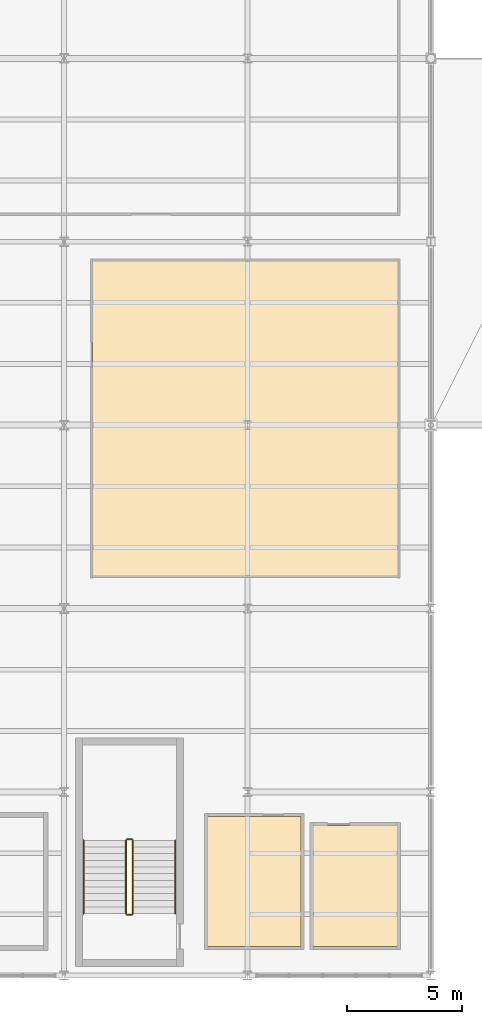
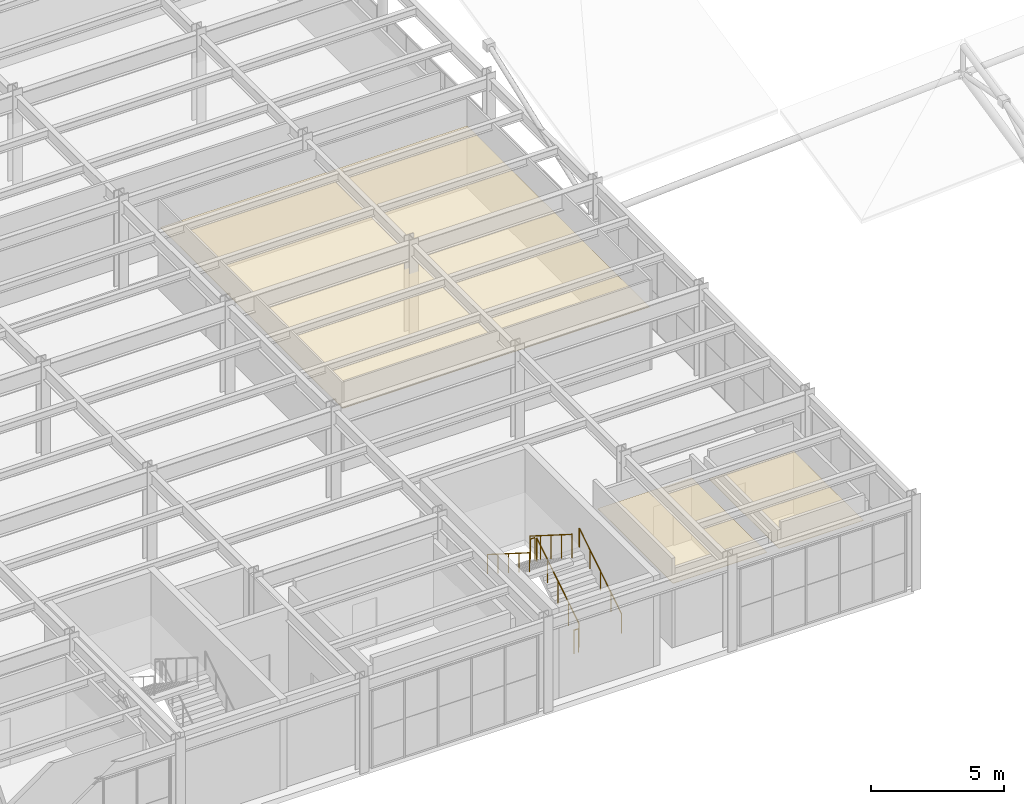
# One storey, part 77 of 83: 6 railings, 3 coverings.
"""IFC4 building model written with IfcOpenShell, lengths in metres."""

from ifc_helpers import new_model, si_unit, direction, frame, origin, origin_2d, place, context, subcontext, project, spatial, polyline, circle, outline, extrude, material, layer, layer_set, type_object, element, save


model = new_model("IFC4")

# Units and contexts
model_context = context("Model", 3, precision=1e-05, world=origin(), true_north=direction((0.0, 1.0)))
body_context = subcontext(model_context, "Body", "Model", "MODEL_VIEW")
ifc_project = project(units=[si_unit("LENGTHUNIT", "METRE"), si_unit("AREAUNIT", "SQUARE_METRE"), si_unit("VOLUMEUNIT", "CUBIC_METRE"), si_unit("PLANEANGLEUNIT", "RADIAN"), si_unit("MASSUNIT", "GRAM", prefix="KILO")], contexts=[model_context])

# Site, building, storey
site_placement = place(None, origin())
site = spatial("IfcSite", under=ifc_project, at=site_placement, CompositionType="ELEMENT")
building_placement = place(site_placement, origin())
building = spatial("IfcBuilding", under=site, at=building_placement, Name="Drelvath Fold Interchange", CompositionType="ELEMENT")
storey_placement = place(building_placement, frame((0.0, 0.0, 11.199951171875)))
storey = spatial("IfcBuildingStorey", under=building, at=storey_placement, Name="L02", CompositionType="ELEMENT", Elevation=11.199951171875)

# Coverings
ifc_material_1 = material(Name="Perforated Aluminium Acoustic Ceiling", Category="aluminium")
ifc_layer = layer(ifc_material_1, 0.01806640625, Name="Perforated Aluminium Acoustic Ceiling")
ifc_layer_set = layer_set([ifc_layer], Name="Perforated Aluminium Acoustic Ceiling")
covering_type = type_object("IfcCoveringType", Name="CV-CEIL-AL18", PredefinedType="CEILING", material=ifc_layer_set)
covering_1_placement = place(storey_placement, frame((0.0, 0.0, 2.830078125)))
element("IfcCovering", 1, at=covering_1_placement, inside=storey, type_object=covering_type, Name="Operator Simulation Training Suite acoustic ceiling", PredefinedType="CEILING", context=body_context, shape_type="SweptSolid", body=[
    extrude(outline(polyline([(37.23291015625, 20.431884765625), (50.568115234375, 20.431884765625), (50.568115234375, 34.16796875), (37.23291015625, 34.16796875), (37.23291015625, 20.431884765625)])), origin(), (0.0, 0.0, 1.0), 0.02001953125),
])
covering_2_placement = place(storey_placement, frame((0.0, 0.0, 2.830078125)))
element("IfcCovering", 2, at=covering_2_placement, inside=storey, type_object=covering_type, Name="Level L02 Staff Washroom acoustic ceiling", PredefinedType="CEILING", context=body_context, shape_type="SweptSolid", body=[
    extrude(outline(polyline([(42.262939453125, 4.262939453125), (46.3369140625, 4.262939453125), (46.3369140625, 9.93798828125), (42.262939453125, 9.93798828125), (42.262939453125, 4.262939453125)])), origin(), (0.0, 0.0, 1.0), 0.02001953125),
])
covering_3_placement = place(storey_placement, frame((0.0, 0.0, 2.830078125)))
element("IfcCovering", 3, at=covering_3_placement, inside=storey, type_object=covering_type, Name="Level L02 Accessible WC acoustic ceiling", PredefinedType="CEILING", context=body_context, shape_type="SweptSolid", body=[
    extrude(outline(polyline([(46.862060546875, 4.262939453125), (50.5380859375, 4.262939453125), (50.5380859375, 9.537109375), (46.862060546875, 9.537109375), (46.862060546875, 4.262939453125)])), origin(), (0.0, 0.0, 1.0), 0.02001953125),
])

# Railings
ifc_material_2 = material(Name="Stainless Steel 316L", Category="steel")
railing_type_1 = type_object("IfcRailingType", Name="RL-GRD1100", PredefinedType="GUARDRAIL", material=ifc_material_2)
railing_1_placement = place(storey_placement, frame((39.0, 5.699951171875, 0.183349609375)))
element("IfcRailing", 4, at=railing_1_placement, inside=storey, type_object=railing_type_1, Name="L02 ST-04 stair guard 1", PredefinedType="GUARDRAIL", context=body_context, shape_type="SweptSolid", body=[
    extrude(circle(Radius=0.02392578125, at=origin_2d()), frame((0.0, 0.0, 1.076171875), z_axis=(0.0, 0.845261316591, 0.534353166619), x_axis=(-1.0, 0.0, 0.0)), (0.0, 0.0, 1.0), 3.77392578125),
    extrude(circle(Radius=0.02099609375, at=origin_2d()), origin(), (0.0, 0.0, 1.0), 1.052001953125),
    extrude(circle(Radius=0.02099609375, at=origin_2d()), frame((0.0, 0.79736328125, 0.504150390625)), (0.0, 0.0, 1.0), 1.052001953125),
    extrude(circle(Radius=0.02099609375, at=origin_2d()), frame((0.0, 1.594970703125, 1.00830078125)), (0.0, 0.0, 1.0), 1.052001953125),
    extrude(circle(Radius=0.02099609375, at=origin_2d()), frame((0.0, 2.392578125, 1.512451171875)), (0.0, 0.0, 1.0), 1.052001953125),
    extrude(circle(Radius=0.02099609375, at=origin_2d()), frame((0.0, 3.18994140625, 2.0166015625)), (0.0, 0.0, 1.0), 1.052001953125),
])
railing_2_placement = place(storey_placement, frame((38.949951171875, 8.93994140625, 2.199951171875)))
element("IfcRailing", 5, at=railing_2_placement, inside=storey, type_object=railing_type_1, Name="L02 ST-04 stair guard 2", PredefinedType="GUARDRAIL", context=body_context, shape_type="SweptSolid", body=[
    extrude(circle(Radius=0.02392578125, at=origin_2d()), frame((0.0, 0.0, 1.076171875), z_axis=(-1.0, 0.0, 0.0), x_axis=(0.0, -1.0, 0.0)), (0.0, 0.0, 1.0), 0.199951171875),
    extrude(circle(Radius=0.02099609375, at=origin_2d()), origin(), (0.0, 0.0, 1.0), 1.052001953125),
    extrude(circle(Radius=0.02099609375, at=origin_2d()), frame((-0.199951171875, 0.0, 0.0)), (0.0, 0.0, 1.0), 1.052001953125),
])
railing_3_placement = place(storey_placement, frame((38.699951171875, 8.889892578125, 2.38330078125)))
element("IfcRailing", 6, at=railing_3_placement, inside=storey, type_object=railing_type_1, Name="L02 ST-04 stair guard 3", PredefinedType="GUARDRAIL", context=body_context, shape_type="SweptSolid", body=[
    extrude(circle(Radius=0.02392578125, at=origin_2d()), frame((0.0, 0.0, 1.076171875), z_axis=(0.0, -0.845232097178, 0.534399384263), x_axis=(1.0, 0.0, 0.0)), (0.0, 0.0, 1.0), 3.77392578125),
    extrude(circle(Radius=0.02099609375, at=origin_2d()), origin(), (0.0, 0.0, 1.0), 1.052001953125),
    extrude(circle(Radius=0.02099609375, at=origin_2d()), frame((0.0, -0.79736328125, 0.504150390625)), (0.0, 0.0, 1.0), 1.052001953125),
    extrude(circle(Radius=0.02099609375, at=origin_2d()), frame((0.0, -1.594970703125, 1.00830078125)), (0.0, 0.0, 1.0), 1.052001953125),
    extrude(circle(Radius=0.02099609375, at=origin_2d()), frame((0.0, -2.392578125, 1.5126953125)), (0.0, 0.0, 1.0), 1.052001953125),
    extrude(circle(Radius=0.02099609375, at=origin_2d()), frame((0.0, -3.18994140625, 2.016845703125)), (0.0, 0.0, 1.0), 1.052001953125),
])
railing_4_placement = place(storey_placement, frame((38.949951171875, 5.64990234375, 0.0)))
element("IfcRailing", 7, at=railing_4_placement, inside=storey, type_object=railing_type_1, Name="L02 ST-04 stair guard 4", PredefinedType="GUARDRAIL", context=body_context, shape_type="SweptSolid", body=[
    extrude(circle(Radius=0.02392578125, at=origin_2d()), frame((0.0, 0.0, 1.076171875), z_axis=(-1.0, 0.0, 0.0), x_axis=(0.0, -1.0, 0.0)), (0.0, 0.0, 1.0), 0.199951171875),
    extrude(circle(Radius=0.02099609375, at=origin_2d()), origin(), (0.0, 0.0, 1.0), 1.052001953125),
    extrude(circle(Radius=0.02099609375, at=origin_2d()), frame((-0.199951171875, 0.0, 0.0)), (0.0, 0.0, 1.0), 1.052001953125),
])
railing_type_2 = type_object("IfcRailingType", Name="RL-HND920", PredefinedType="HANDRAIL", material=ifc_material_2)
railing_5_placement = place(storey_placement, frame((40.85009765625, 5.699951171875, 0.183349609375)))
element("IfcRailing", 8, at=railing_5_placement, inside=storey, type_object=railing_type_2, Name="L02 ST-04 stair handrail 1", PredefinedType="HANDRAIL", context=body_context, shape_type="SweptSolid", body=[
    extrude(circle(Radius=0.02392578125, at=origin_2d()), frame((0.0, 0.0, 0.8759765625), z_axis=(0.0, 0.845261316591, 0.534353166619), x_axis=(-1.0, 0.0, 0.0)), (0.0, 0.0, 1.0), 3.77392578125),
    extrude(circle(Radius=0.02099609375, at=origin_2d()), origin(), (0.0, 0.0, 1.0), 0.851806640625),
    extrude(circle(Radius=0.02099609375, at=origin_2d()), frame((0.0, 0.79736328125, 0.504150390625)), (0.0, 0.0, 1.0), 0.851806640625),
    extrude(circle(Radius=0.02099609375, at=origin_2d()), frame((0.0, 1.594970703125, 1.00830078125)), (0.0, 0.0, 1.0), 0.851806640625),
    extrude(circle(Radius=0.02099609375, at=origin_2d()), frame((0.0, 2.392578125, 1.512451171875)), (0.0, 0.0, 1.0), 0.851806640625),
    extrude(circle(Radius=0.02099609375, at=origin_2d()), frame((0.0, 3.18994140625, 2.0166015625)), (0.0, 0.0, 1.0), 0.851806640625),
])
railing_6_placement = place(storey_placement, frame((36.85009765625, 8.889892578125, 2.38330078125)))
element("IfcRailing", 9, at=railing_6_placement, inside=storey, type_object=railing_type_2, Name="L02 ST-04 stair handrail 2", PredefinedType="HANDRAIL", context=body_context, shape_type="SweptSolid", body=[
    extrude(circle(Radius=0.02392578125, at=origin_2d()), frame((0.0, 0.0, 0.8759765625), z_axis=(0.0, -0.845232097178, 0.534399384263), x_axis=(1.0, 0.0, 0.0)), (0.0, 0.0, 1.0), 3.77392578125),
    extrude(circle(Radius=0.02099609375, at=origin_2d()), origin(), (0.0, 0.0, 1.0), 0.851806640625),
    extrude(circle(Radius=0.02099609375, at=origin_2d()), frame((0.0, -0.79736328125, 0.504150390625)), (0.0, 0.0, 1.0), 0.851806640625),
    extrude(circle(Radius=0.02099609375, at=origin_2d()), frame((0.0, -1.594970703125, 1.00830078125)), (0.0, 0.0, 1.0), 0.851806640625),
    extrude(circle(Radius=0.02099609375, at=origin_2d()), frame((0.0, -2.392578125, 1.5126953125)), (0.0, 0.0, 1.0), 0.851806640625),
    extrude(circle(Radius=0.02099609375, at=origin_2d()), frame((0.0, -3.18994140625, 2.016845703125)), (0.0, 0.0, 1.0), 0.851806640625),
])

save(model, "model.ifc")
